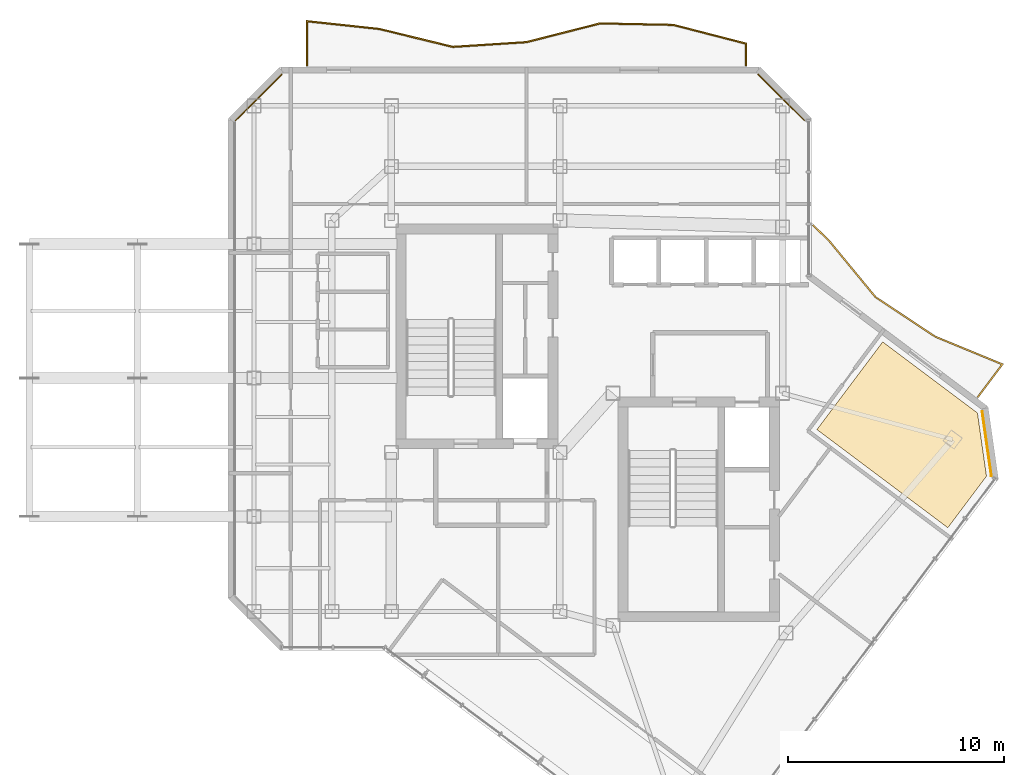
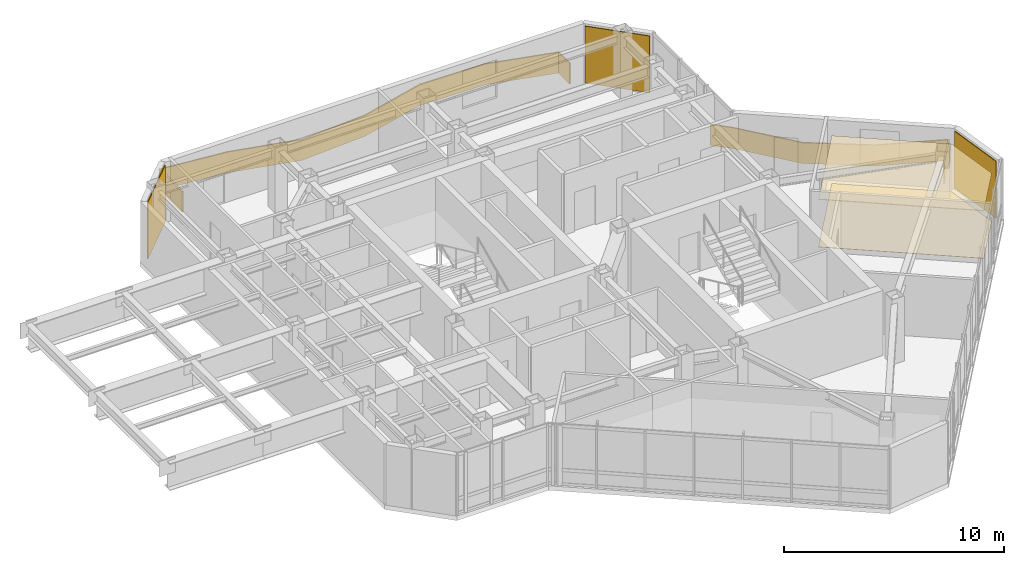
# One storey, part 17 of 17: 5 coverings, 2 railings.
"""IFC4 building model written with IfcOpenShell, lengths in metres."""

from ifc_helpers import new_model, si_unit, direction, frame, origin, origin_2d, place, context, subcontext, project, spatial, polyline, rectangle, outline, extrude, material, layer, layer_set, type_object, element, save


model = new_model("IFC4")

# Units and contexts
model_context = context("Model", 3, precision=1e-05, world=origin(), true_north=direction((0.0, 1.0)))
body_context = subcontext(model_context, "Body", "Model", "MODEL_VIEW")
ifc_project = project(units=[si_unit("LENGTHUNIT", "METRE"), si_unit("AREAUNIT", "SQUARE_METRE"), si_unit("VOLUMEUNIT", "CUBIC_METRE"), si_unit("PLANEANGLEUNIT", "RADIAN"), si_unit("MASSUNIT", "GRAM", prefix="KILO")], contexts=[model_context])

# Site, building, storey
site_placement = place(None, origin())
site = spatial("IfcSite", under=ifc_project, at=site_placement, CompositionType="ELEMENT")
building_placement = place(site_placement, origin())
building = spatial("IfcBuilding", under=site, at=building_placement, Name="Hatsunagi Terrace Concourse", CompositionType="ELEMENT")
storey_placement = place(building_placement, frame((0.0, 0.0, 253.949951171875)))
storey = spatial("IfcBuildingStorey", under=building, at=storey_placement, Name="L67", CompositionType="ELEMENT", Elevation=253.949951171875)

# Railings
ifc_material_1 = material(Name="Laminated Glass and Stainless Steel Guard", Category="steel")
ifc_layer_1 = layer(ifc_material_1, 0.070068359375)
ifc_layer_set_1 = layer_set([ifc_layer_1], Name="BalconyGlassGuardRail_1150")
railing_type = type_object("IfcRailingType", Name="BalconyGlassGuardRail_1150", PredefinedType="BALUSTRADE", material=ifc_layer_set_1)
railing_1_placement = place(storey_placement, origin())
element("IfcRailing", 1, at=railing_1_placement, inside=storey, type_object=railing_type, Name="Engawa Balcony Guard GRD-01 L67-BN-1", PredefinedType="BALUSTRADE", context=body_context, shape_type="SweptSolid", body=[
    extrude(outline(polyline([(21.614990234375, 50.449951171875), (21.68505859375, 50.449951171875), (21.68505859375, 52.47314453125), (24.985107421875, 52.120361328125), (28.392822265625, 51.290771484375), (31.8134765625, 51.51123046875), (35.2099609375, 52.376953125), (38.588134765625, 52.30810546875), (41.9150390625, 51.448974609375), (41.9150390625, 50.449951171875), (41.985107421875, 50.449951171875), (41.985107421875, 51.503173828125), (38.597900390625, 52.3779296875), (35.201904296875, 52.447021484375), (31.802490234375, 51.580810546875), (28.399169921875, 51.361328125), (24.9970703125, 52.189697265625), (21.614990234375, 52.55078125), (21.614990234375, 50.449951171875)])), origin(), (0.0, 0.0, 1.0), 1.150146484375),
])
railing_2_placement = place(storey_placement, origin())
element("IfcRailing", 2, at=railing_2_placement, inside=storey, type_object=railing_type, Name="Engawa Balcony Guard GRD-01 L67-BSE-1", PredefinedType="BALUSTRADE", context=body_context, shape_type="SweptSolid", body=[
    extrude(outline(polyline([(45.0703125, 43.109130859375), (45.021728515625, 43.058837890625), (45.764404296875, 42.34423828125), (47.92822265625, 39.716796875), (50.70361328125, 37.8828125), (53.760986328125, 36.622802734375), (52.64208984375, 35.131103515625), (52.697998046875, 35.089111328125), (53.87109375, 36.653076171875), (50.736572265625, 37.945068359375), (47.9755859375, 39.769287109375), (45.815673828125, 42.391845703125), (45.0703125, 43.109130859375)])), origin(), (0.0, 0.0, 1.0), 1.150146484375),
])

# Coverings
ifc_material_2 = material(Name="Hardwood timber", Category="wood")
ifc_layer_2 = layer(ifc_material_2, 0.014892578125)
ifc_layer_set_2 = layer_set([ifc_layer_2], Name="HardwoodTimberFlooring_15")
covering_type_1 = type_object("IfcCoveringType", Name="HardwoodTimberFlooring_15", PredefinedType="FLOORING", material=ifc_layer_set_2)
covering_1_placement = place(storey_placement, origin())
element("IfcCovering", 3, at=covering_1_placement, inside=storey, type_object=covering_type_1, Name="Finished Flooring L67-2", PredefinedType="FLOORING", context=body_context, shape_type="SweptSolid", body=[
    extrude(outline(polyline([(52.666015625, 34.387939453125), (48.281982421875, 37.676025390625), (45.239990234375, 33.6201171875), (51.2958984375, 29.077880859375), (53.083984375, 31.4619140625), (52.666015625, 34.387939453125)])), origin(), (0.0, 0.0, 1.0), 0.01513671875),
])
ifc_material_3 = material(Name="Unglazed Warm Terracotta Rainscreen Tile", Category="masonry")
ifc_layer_3 = layer(ifc_material_3, 0.044921875)
ifc_layer_set_3 = layer_set([ifc_layer_3], Name="TerracottaRainscreenCladding_45")
covering_type_2 = type_object("IfcCoveringType", Name="TerracottaRainscreenCladding_45", PredefinedType="CLADDING", material=ifc_layer_set_3)
for number, where, z_axis, x_axis, name in (
    (4, (53.10107421875, 32.9580078125, 0.10009765625), (0.0, 0.0, 1.0), (0.141250262458, -0.989973920543, 0.0), "Terracotta Rainscreen Cladding L67-02"),
    (5, (19.4140625, 48.986083984375, 0.10009765625), (0.0, 0.0, 1.0), (0.707106781187, 0.707106781187, 0.0), "Terracotta Rainscreen Cladding L67-09"),
    (6, (43.5859375, 48.986083984375, 0.10009765625), (0.0, 0.0, 1.0), (0.707106781187, -0.707106781187, 0.0), "Terracotta Rainscreen Cladding L67-11"),
):
    element("IfcCovering", number, at=place(storey_placement, frame(where, z_axis=z_axis, x_axis=x_axis)), inside=storey, type_object=covering_type_2, Name=name, PredefinedType="CLADDING", context=body_context, shape_type="SweptSolid", body=[
        extrude(rectangle(XDim=3.0380859375, YDim=0.044921875, at=origin_2d()), origin(), (0.0, 0.0, 1.0), 3.14990234375),
    ])
ifc_material_4 = material(Name="Hardwood timber", Category="wood")
ifc_layer_4 = layer(ifc_material_4, 0.034912109375)
ifc_layer_set_4 = layer_set([ifc_layer_4], Name="TimberBaffleCeiling_35")
covering_type_3 = type_object("IfcCoveringType", Name="TimberBaffleCeiling_35", PredefinedType="CEILING", material=ifc_layer_set_4)
covering_2_placement = place(storey_placement, frame((0.0, 0.0, 2.630126953125)))
element("IfcCovering", 7, at=covering_2_placement, inside=storey, type_object=covering_type_3, Name="Suspended Ceiling L67-2", PredefinedType="CEILING", context=body_context, shape_type="SweptSolid", body=[
    extrude(outline(polyline([(52.666015625, 34.387939453125), (48.281982421875, 37.676025390625), (45.239990234375, 33.6201171875), (51.2958984375, 29.077880859375), (53.083984375, 31.4619140625), (52.666015625, 34.387939453125)])), origin(), (0.0, 0.0, 1.0), 0.034912109375),
])

save(model, "model.ifc")
